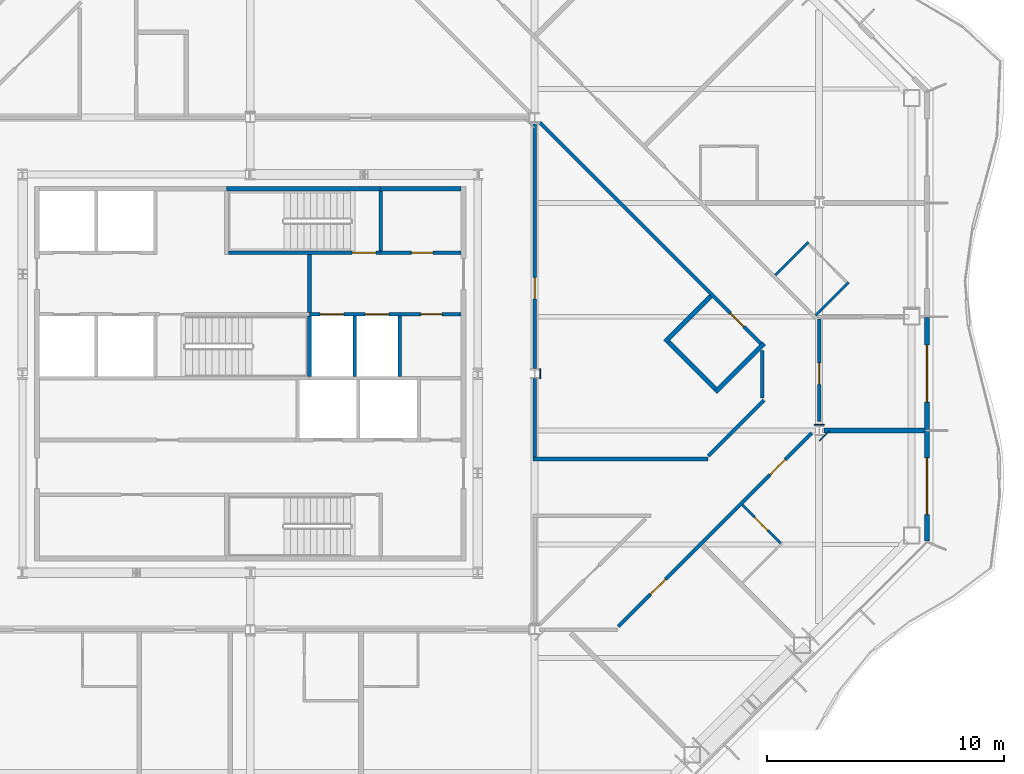
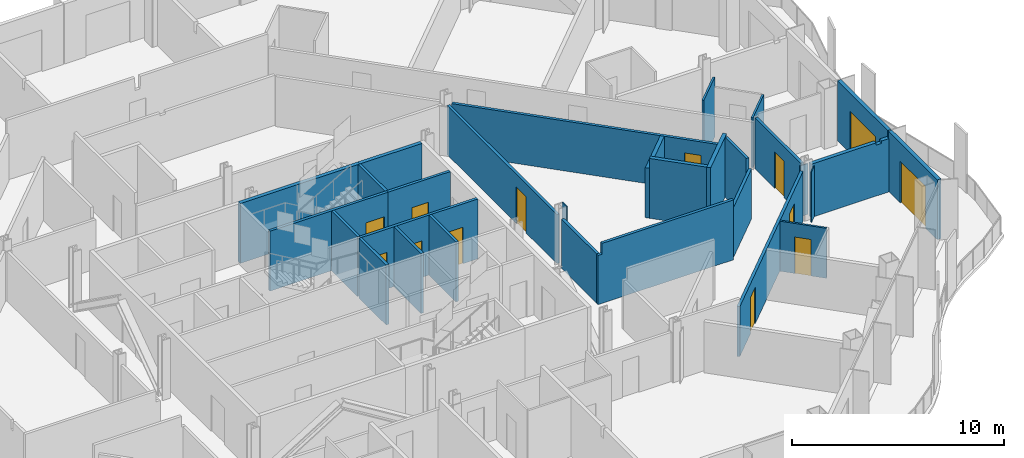
# One storey, part 10 of 21: 30 walls, 13 doors, 13 openings.
"""IFC4 building model written with IfcOpenShell, lengths in metres."""

from ifc_helpers import new_model, si_unit, direction, frame, frame_2d, origin, place, context, subcontext, project, spatial, polyline, rectangle, outline, extrude, material, layer, layer_set, type_object, element, fill, save


model = new_model("IFC4")

# Units and contexts
model_context = context("Model", 3, precision=1e-05, world=origin(), true_north=direction((0.0, 1.0)))
body_context = subcontext(model_context, "Body", "Model", "MODEL_VIEW")
ifc_project = project(units=[si_unit("LENGTHUNIT", "METRE"), si_unit("AREAUNIT", "SQUARE_METRE"), si_unit("VOLUMEUNIT", "CUBIC_METRE"), si_unit("PLANEANGLEUNIT", "RADIAN"), si_unit("MASSUNIT", "GRAM", prefix="KILO")], contexts=[model_context])

# Site, building, storey
site_placement = place(None, origin())
site = spatial("IfcSite", under=ifc_project, at=site_placement, CompositionType="ELEMENT")
building_placement = place(site_placement, origin())
building = spatial("IfcBuilding", under=site, at=building_placement, Name="Cairn Pilgrim Tower", CompositionType="ELEMENT")
storey_placement = place(building_placement, frame((0.0, 0.0, 132.60009765625)))
storey = spatial("IfcBuildingStorey", under=building, at=storey_placement, Name="L32", CompositionType="ELEMENT", Elevation=132.60009765625)

# Wall, opening, door
ifc_material_1 = material(Name="Bronze anodised aluminium insulated sandwich panel with mineral wool fill", Category="aluminium")
ifc_layer_1 = layer(ifc_material_1, 0.199951171875)
ifc_layer_set_1 = layer_set([ifc_layer_1], Name="BRONZE INFILL FRAME WALL 200")
wall_type_1 = type_object("IfcWallType", Name="BRONZE INFILL FRAME WALL 200", PredefinedType="NOTDEFINED", material=ifc_layer_set_1)
wall_1_placement = place(storey_placement, frame((35.75, -4.656494140625, 0.0), z_axis=(0.0, 0.0, 1.0), x_axis=(0.0, 1.0, 0.0)))
wall_1 = element("IfcWall", 1, at=wall_1_placement, inside=storey, type_object=wall_type_1, Name="Bronze infill frame wall IW-E1", PredefinedType="NOTDEFINED", context=body_context, shape_type="SweptSolid", body=[
    extrude(rectangle(XDim=4.62646484375, YDim=0.199951171875, at=frame_2d((2.313232421875, 0.0))), origin(), (0.0, 0.0, 1.0), 3.449951171875),
])
opening_1_placement = place(wall_1_placement, frame((1.1083984375, 0.0, 0.0)))
opening_1 = element("IfcOpeningElement", 2, at=opening_1_placement, cuts=wall_1, Name="Opening 3204B", PredefinedType="OPENING", context=body_context, shape_type="SweptSolid", body=[
    extrude(rectangle(XDim=2.39990234375, YDim=2.39990234375, at=frame_2d((1.199951171875, 1.199951171875))), frame((0.0, 0.10986328125, 0.0), z_axis=(0.0, -1.0, 0.0), x_axis=(1.0, 0.0, 0.0)), (0.0, 0.0, 1.0), 0.219970703125),
])
ifc_material_2 = material(Name="Bronze anodised aluminium frame with tinted low-E glass", Category="aluminium")
door_type_1 = type_object("IfcDoorType", Name="BALCONY SLIDING DOOR 2400x2400", OperationType="DOUBLE_DOOR_SLIDING", PredefinedType="DOOR", material=ifc_material_2)
door_1_placement = place(opening_1_placement, origin())
door_1 = element("IfcDoor", 3, at=door_1_placement, inside=storey, type_object=door_type_1, Name="Balcony sliding door 3204B", OperationType="SINGLE_SWING_LEFT", OverallHeight=2.39990234375, OverallWidth=2.39990234375, PredefinedType="DOOR", context=body_context, shape_type="SweptSolid", body=[
    extrude(rectangle(XDim=2.39990234375, YDim=2.39990234375, at=frame_2d((1.199951171875, 1.199951171875))), frame((0.0, 0.02490234375, 0.0), z_axis=(0.0, -1.0, 0.0), x_axis=(1.0, 0.0, 0.0)), (0.0, 0.0, 1.0), 0.050048828125),
])
fill(opening_1, door_1)

wall_2_placement = place(storey_placement, frame((35.75, 0.030029296875, 0.0), z_axis=(0.0, 0.0, 1.0), x_axis=(0.0, 1.0, 0.0)))
wall_2 = element("IfcWall", 4, at=wall_2_placement, inside=storey, type_object=wall_type_1, Name="Bronze infill frame wall IW-E2", PredefinedType="NOTDEFINED", context=body_context, shape_type="SweptSolid", body=[
    extrude(rectangle(XDim=4.739990234375, YDim=0.199951171875, at=frame_2d((2.3701171875, 0.0))), origin(), (0.0, 0.0, 1.0), 3.449951171875),
])
opening_2_placement = place(wall_2_placement, frame((1.169921875, 0.0, 0.0)))
opening_2 = element("IfcOpeningElement", 5, at=opening_2_placement, cuts=wall_2, Name="Opening 3205B", PredefinedType="OPENING", context=body_context, shape_type="SweptSolid", body=[
    extrude(rectangle(XDim=2.39990234375, YDim=2.39990234375, at=frame_2d((1.199951171875, 1.199951171875))), frame((0.0, 0.10986328125, 0.0), z_axis=(0.0, -1.0, 0.0), x_axis=(1.0, 0.0, 0.0)), (0.0, 0.0, 1.0), 0.219970703125),
])
door_2_placement = place(opening_2_placement, origin())
door_2 = element("IfcDoor", 6, at=door_2_placement, inside=storey, type_object=door_type_1, Name="Balcony sliding door 3205B", OperationType="SINGLE_SWING_LEFT", OverallHeight=2.39990234375, OverallWidth=2.39990234375, PredefinedType="DOOR", context=body_context, shape_type="SweptSolid", body=[
    extrude(rectangle(XDim=2.39990234375, YDim=2.39990234375, at=frame_2d((1.199951171875, 1.199951171875))), frame((0.0, 0.02490234375, 0.0), z_axis=(0.0, -1.0, 0.0), x_axis=(1.0, 0.0, 0.0)), (0.0, 0.0, 1.0), 0.050048828125),
])
fill(opening_2, door_2)

# Wall
ifc_material_3 = material(Name="Concrete C32/40", Category="concrete")
ifc_layer_2 = layer(ifc_material_3, 0.199951171875)
ifc_layer_set_2 = layer_set([ifc_layer_2], Name="CORE OUTER WALL 200 EI 120")
wall_type_2 = type_object("IfcWallType", Name="CORE OUTER WALL 200 EI 120", PredefinedType="SOLIDWALL", material=ifc_layer_set_2)
wall_3_placement = place(storey_placement, frame((12.699951171875, 10.199951171875, 0.0), z_axis=(0.0, 0.0, 1.0), x_axis=(1.0, 0.0, 0.0)))
element("IfcWall", 7, at=wall_3_placement, inside=storey, type_object=wall_type_2, Name="CW:L32:H12-3", PredefinedType="SOLIDWALL", context=body_context, shape_type="SweptSolid", body=[
    extrude(rectangle(XDim=3.400146484375, YDim=0.199951171875, at=frame_2d((1.7001953125, 0.0))), origin(), (0.0, 0.0, 1.0), 3.449951171875),
])

# Wall, openings, doors
ifc_layer_3 = layer(ifc_material_3, 0.14990234375)
ifc_layer_set_3 = layer_set([ifc_layer_3], Name="CORE SHAFT WALL 150 EI 120")
wall_type_3 = type_object("IfcWallType", Name="CORE SHAFT WALL 150 EI 120", PredefinedType="SOLIDWALL", material=ifc_layer_set_3)
wall_4_placement = place(storey_placement, frame((9.699951171875, 4.89990234375, 0.0), z_axis=(0.0, 0.0, 1.0), x_axis=(1.0, 0.0, 0.0)))
wall_4 = element("IfcWall", 8, at=wall_4_placement, inside=storey, type_object=wall_type_3, Name="CW:L32:H09-3", PredefinedType="SOLIDWALL", context=body_context, shape_type="SweptSolid", body=[
    extrude(rectangle(XDim=6.400146484375, YDim=0.14990234375, at=frame_2d((3.2001953125, 0.0))), origin(), (0.0, 0.0, 1.0), 3.449951171875),
])
opening_3_placement = place(wall_4_placement, frame((0.449951171875, 0.0, 0.0)))
opening_3 = element("IfcOpeningElement", 9, at=opening_3_placement, cuts=wall_4, Name="Opening LD-FF1", PredefinedType="OPENING", context=body_context, shape_type="SweptSolid", body=[
    extrude(rectangle(XDim=1.0, YDim=2.10009765625, at=frame_2d((0.5, 1.050048828125))), frame((0.0, 0.0849609375, 0.0), z_axis=(0.0, -1.0, 0.0), x_axis=(1.0, 0.0, 0.0)), (0.0, 0.0, 1.0), 0.169921875),
])
opening_4_placement = place(wall_4_placement, frame((2.35009765625, 0.0, 0.0)))
opening_4 = element("IfcOpeningElement", 10, at=opening_4_placement, cuts=wall_4, Name="Opening LD-FF2", PredefinedType="OPENING", context=body_context, shape_type="SweptSolid", body=[
    extrude(rectangle(XDim=1.0, YDim=2.10009765625, at=frame_2d((0.5, 1.050048828125))), frame((0.0, 0.0849609375, 0.0), z_axis=(0.0, -1.0, 0.0), x_axis=(1.0, 0.0, 0.0)), (0.0, 0.0, 1.0), 0.169921875),
])
opening_5_placement = place(wall_4_placement, frame((4.699951171875, 0.0, 0.0)))
opening_5 = element("IfcOpeningElement", 11, at=opening_5_placement, cuts=wall_4, Name="Opening RD-R3E", PredefinedType="OPENING", context=body_context, shape_type="SweptSolid", body=[
    extrude(rectangle(XDim=0.89990234375, YDim=2.10009765625, at=frame_2d((0.449951171875, 1.050048828125))), frame((0.0, 0.0849609375, 0.0), z_axis=(0.0, -1.0, 0.0), x_axis=(1.0, 0.0, 0.0)), (0.0, 0.0, 1.0), 0.169921875),
])
ifc_material_4 = material(Name="Stainless steel", Category="steel")
door_type_2 = type_object("IfcDoorType", Name="LIFT LANDING DOOR FIRE 1000x2100", OperationType="DOUBLE_DOOR_SLIDING", PredefinedType="DOOR", material=ifc_material_4)
door_3_placement = place(opening_3_placement, origin())
door_3 = element("IfcDoor", 12, at=door_3_placement, inside=storey, type_object=door_type_2, Name="LANDING DOOR FF1", OperationType="DOUBLE_DOOR_SLIDING", OverallHeight=2.10009765625, OverallWidth=1.0, PredefinedType="DOOR", context=body_context, shape_type="SweptSolid", body=[
    extrude(rectangle(XDim=1.0, YDim=2.10009765625, at=frame_2d((0.5, 1.050048828125))), frame((0.0, 0.02490234375, 0.0), z_axis=(0.0, -1.0, 0.0), x_axis=(1.0, 0.0, 0.0)), (0.0, 0.0, 1.0), 0.050048828125),
])
fill(opening_3, door_3)
door_4_placement = place(opening_4_placement, origin())
door_4 = element("IfcDoor", 13, at=door_4_placement, inside=storey, type_object=door_type_2, Name="LANDING DOOR FF2", OperationType="DOUBLE_DOOR_SLIDING", OverallHeight=2.10009765625, OverallWidth=1.0, PredefinedType="DOOR", context=body_context, shape_type="SweptSolid", body=[
    extrude(rectangle(XDim=1.0, YDim=2.10009765625, at=frame_2d((0.5, 1.050048828125))), frame((0.0, 0.02490234375, 0.0), z_axis=(0.0, -1.0, 0.0), x_axis=(1.0, 0.0, 0.0)), (0.0, 0.0, 1.0), 0.050048828125),
])
fill(opening_4, door_4)
ifc_material_5 = material(Name="Painted steel", Category="steel")
door_type_3 = type_object("IfcDoorType", Name="SERVICE ROOM DOOR 900x2100", OperationType="SINGLE_SWING_LEFT", PredefinedType="DOOR", material=ifc_material_5)
door_5_placement = place(opening_5_placement, origin())
door_5 = element("IfcDoor", 14, at=door_5_placement, inside=storey, type_object=door_type_3, Name="RD-R3E", OperationType="SINGLE_SWING_LEFT", OverallHeight=2.10009765625, OverallWidth=0.89990234375, PredefinedType="DOOR", context=body_context, shape_type="SweptSolid", body=[
    extrude(rectangle(XDim=0.89990234375, YDim=2.10009765625, at=frame_2d((0.449951171875, 1.050048828125))), frame((0.0, 0.02490234375, 0.0), z_axis=(0.0, -1.0, 0.0), x_axis=(1.0, 0.0, 0.0)), (0.0, 0.0, 1.0), 0.050048828125),
])
fill(opening_5, door_5)

# Wall, opening, door
wall_5_placement = place(storey_placement, frame((12.699951171875, 7.5, 0.0), z_axis=(0.0, 0.0, 1.0), x_axis=(1.0, 0.0, 0.0)))
wall_5 = element("IfcWall", 15, at=wall_5_placement, inside=storey, type_object=wall_type_3, Name="CW:L32:H11-2", PredefinedType="SOLIDWALL", context=body_context, shape_type="SweptSolid", body=[
    extrude(rectangle(XDim=3.400146484375, YDim=0.14990234375, at=frame_2d((1.7001953125, 0.0))), origin(), (0.0, 0.0, 1.0), 3.449951171875),
])
opening_6_placement = place(wall_5_placement, frame((1.300048828125, 0.0, 0.0)))
opening_6 = element("IfcOpeningElement", 16, at=opening_6_placement, cuts=wall_5, Name="Opening RD-R4E", PredefinedType="OPENING", context=body_context, shape_type="SweptSolid", body=[
    extrude(rectangle(XDim=0.89990234375, YDim=2.10009765625, at=frame_2d((0.449951171875, 1.050048828125))), frame((0.0, 0.0849609375, 0.0), z_axis=(0.0, -1.0, 0.0), x_axis=(1.0, 0.0, 0.0)), (0.0, 0.0, 1.0), 0.169921875),
])
door_6_placement = place(opening_6_placement, origin())
door_6 = element("IfcDoor", 17, at=door_6_placement, inside=storey, type_object=door_type_3, Name="RD-R4E", OperationType="SINGLE_SWING_RIGHT", OverallHeight=2.10009765625, OverallWidth=0.89990234375, PredefinedType="DOOR", context=body_context, shape_type="SweptSolid", body=[
    extrude(rectangle(XDim=0.89990234375, YDim=2.10009765625, at=frame_2d((0.449951171875, 1.050048828125))), frame((0.0, 0.02490234375, 0.0), z_axis=(0.0, -1.0, 0.0), x_axis=(1.0, 0.0, 0.0)), (0.0, 0.0, 1.0), 0.050048828125),
])
fill(opening_6, door_6)

# Walls
wall_6_placement = place(storey_placement, frame((9.699951171875, 4.97509765625, 0.0), z_axis=(0.0, 0.0, 1.0), x_axis=(0.0, 1.0, 0.0)))
element("IfcWall", 18, at=wall_6_placement, inside=storey, type_object=wall_type_3, Name="CW:L32:V22", PredefinedType="SOLIDWALL", context=body_context, shape_type="SweptSolid", body=[
    extrude(rectangle(XDim=2.449951171875, YDim=0.14990234375, at=frame_2d((1.22509765625, 0.0))), origin(), (0.0, 0.0, 1.0), 3.449951171875),
])
for number, where, z_axis, x_axis, name in (
    (19, (11.60009765625, 2.27490234375, 0.0), (0.0, 0.0, 1.0), (0.0, 1.0, 0.0), "CW:L32:V23"),
    (20, (13.5, 2.27490234375, 0.0), (0.0, 0.0, 1.0), (0.0, 1.0, 0.0), "CW:L32:V27"),
):
    element("IfcWall", number, at=place(storey_placement, frame(where, z_axis=z_axis, x_axis=x_axis)), inside=storey, type_object=wall_type_3, Name=name, PredefinedType="SOLIDWALL", context=body_context, shape_type="SweptSolid", body=[
        extrude(rectangle(XDim=2.550048828125, YDim=0.14990234375, at=frame_2d((1.27490234375, 0.0))), origin(), (0.0, 0.0, 1.0), 3.449951171875),
    ])

# Wall, opening, door
ifc_material_6 = material(Name="Gypsum partition")
ifc_layer_4 = layer(ifc_material_6, 0.10009765625)
ifc_layer_set_4 = layer_set([ifc_layer_4], Name="PARTITION 100 DRYWALL")
wall_type_4 = type_object("IfcWallType", Name="PARTITION 100 DRYWALL", PredefinedType="PARTITIONING", material=ifc_layer_set_4)
wall_7_placement = place(storey_placement, frame((29.567626953125, -4.74951171875, 0.0), z_axis=(0.0, 0.0, 1.0), x_axis=(-0.707160441348, 0.707053116953, 0.0)))
wall_7 = element("IfcWall", 21, at=wall_7_placement, inside=storey, type_object=wall_type_4, Name="PARTITION W028", PredefinedType="PARTITIONING", context=body_context, shape_type="SweptSolid", body=[
    extrude(rectangle(XDim=2.27490234375, YDim=0.10009765625, at=frame_2d((1.137451171875, 0.0))), origin(), (0.0, 0.0, 1.0), 2.8798828125),
])
opening_7_placement = place(wall_7_placement, frame((0.75, 0.0, 0.0)))
opening_7 = element("IfcOpeningElement", 22, at=opening_7_placement, cuts=wall_7, Name="Opening 3204A", PredefinedType="OPENING", context=body_context, shape_type="SweptSolid", body=[
    extrude(rectangle(XDim=0.800048828125, YDim=2.10009765625, at=frame_2d((0.39990234375, 1.050048828125))), frame((0.0, 0.06005859375, 0.0), z_axis=(0.0, -1.0, 0.0), x_axis=(1.0, 0.0, 0.0)), (0.0, 0.0, 1.0), 0.1201171875),
])
ifc_material_7 = material(Name="Timber door leaf", Category="wood")
door_type_4 = type_object("IfcDoorType", Name="WC DOOR 800x2100", OperationType="NOTDEFINED", PredefinedType="DOOR", material=ifc_material_7)
door_7_placement = place(opening_7_placement, frame((0.800048828125, 0.0, 0.0), z_axis=(0.0, 0.0, 1.0), x_axis=(-1.0, 0.0, 0.0)))
door_7 = element("IfcDoor", 23, at=door_7_placement, inside=storey, type_object=door_type_4, Name="DOOR 3204A", OperationType="SINGLE_SWING_LEFT", OverallHeight=2.10009765625, OverallWidth=0.800048828125, PredefinedType="DOOR", context=body_context, shape_type="SweptSolid", body=[
    extrude(rectangle(XDim=0.800048828125, YDim=2.10009765625, at=frame_2d((0.39990234375, 1.050048828125))), frame((0.0, 0.02490234375, 0.0), z_axis=(0.0, -1.0, 0.0), x_axis=(1.0, 0.0, 0.0)), (0.0, 0.0, 1.0), 0.050048828125),
])
fill(opening_7, door_7)

# Walls
wall_8_placement = place(storey_placement, frame((31.047119140625, 4.85302734375, 0.0), z_axis=(0.0, 0.0, 1.0), x_axis=(0.707044963048, 0.707168593921, 0.0)))
element("IfcWall", 24, at=wall_8_placement, inside=storey, type_object=wall_type_4, Name="PARTITION W056", PredefinedType="PARTITIONING", context=body_context, shape_type="SweptSolid", body=[
    extrude(rectangle(XDim=1.974853515625, YDim=0.10009765625, at=frame_2d((0.9873046875, 0.0))), origin(), (0.0, 0.0, 1.0), 2.8798828125),
])
wall_9_placement = place(storey_placement, frame((29.35009765625, 6.550048828125, 0.0), z_axis=(0.0, 0.0, 1.0), x_axis=(0.707106781187, 0.707106781187, 0.0)))
element("IfcWall", 25, at=wall_9_placement, inside=storey, type_object=wall_type_4, Name="PARTITION W059", PredefinedType="PARTITIONING", context=body_context, shape_type="SweptSolid", body=[
    extrude(rectangle(XDim=1.974609375, YDim=0.10009765625, at=frame_2d((0.9873046875, 0.0))), origin(), (0.0, 0.0, 1.0), 3.449951171875),
])

# Wall, openings, doors
ifc_layer_5 = layer(ifc_material_6, 0.14990234375)
ifc_layer_set_5 = layer_set([ifc_layer_5], Name="PARTITION 150 DRYWALL EI 60")
wall_type_5 = type_object("IfcWallType", Name="PARTITION 150 DRYWALL EI 60", PredefinedType="PARTITIONING", material=ifc_layer_set_5)
wall_10_placement = place(storey_placement, frame((22.721923828125, -8.27197265625, 0.0), z_axis=(0.0, 0.0, 1.0), x_axis=(0.707106781187, 0.707106781187, 0.0)))
wall_10 = element("IfcWall", 26, at=wall_10_placement, inside=storey, type_object=wall_type_5, Name="PARTITION W022", PredefinedType="PARTITIONING", context=body_context, shape_type="SweptSolid", body=[
    extrude(rectangle(XDim=11.549072265625, YDim=0.14990234375, at=frame_2d((5.7744140625, 0.0))), origin(), (0.0, 0.0, 1.0), 2.8798828125),
])
opening_8_placement = place(wall_10_placement, frame((1.92529296875, 0.0, 0.0)))
opening_8 = element("IfcOpeningElement", 27, at=opening_8_placement, cuts=wall_10, Name="Opening 3203", PredefinedType="OPENING", context=body_context, shape_type="SweptSolid", body=[
    extrude(rectangle(XDim=0.89990234375, YDim=2.10009765625, at=frame_2d((0.449951171875, 1.050048828125))), frame((0.0, 0.0849609375, 0.0), z_axis=(0.0, -1.0, 0.0), x_axis=(1.0, 0.0, 0.0)), (0.0, 0.0, 1.0), 0.169921875),
])
opening_9_placement = place(wall_10_placement, frame((9.0654296875, 0.0, 0.0)))
opening_9 = element("IfcOpeningElement", 28, at=opening_9_placement, cuts=wall_10, Name="Opening 3204", PredefinedType="OPENING", context=body_context, shape_type="SweptSolid", body=[
    extrude(rectangle(XDim=0.89990234375, YDim=2.10009765625, at=frame_2d((0.449951171875, 1.050048828125))), frame((0.0, 0.0849609375, 0.0), z_axis=(0.0, -1.0, 0.0), x_axis=(1.0, 0.0, 0.0)), (0.0, 0.0, 1.0), 0.169921875),
])
door_type_5 = type_object("IfcDoorType", Name="ROOM DOOR 900x2100 FD30S", OperationType="NOTDEFINED", PredefinedType="DOOR", material=ifc_material_7)
door_8_placement = place(opening_9_placement, frame((0.89990234375, 0.0, 0.0), z_axis=(0.0, 0.0, 1.0), x_axis=(-1.0, 0.0, 0.0)))
door_8 = element("IfcDoor", 29, at=door_8_placement, inside=storey, type_object=door_type_5, Name="DOOR 3204", OperationType="SINGLE_SWING_LEFT", OverallHeight=2.10009765625, OverallWidth=0.89990234375, PredefinedType="DOOR", context=body_context, shape_type="SweptSolid", body=[
    extrude(rectangle(XDim=0.89990234375, YDim=2.10009765625, at=frame_2d((0.449951171875, 1.050048828125))), frame((0.0, 0.02490234375, 0.0), z_axis=(0.0, -1.0, 0.0), x_axis=(1.0, 0.0, 0.0)), (0.0, 0.0, 1.0), 0.050048828125),
])
fill(opening_9, door_8)
door_type_6 = type_object("IfcDoorType", Name="SERVICE DOOR 900x2100 FD30S", OperationType="NOTDEFINED", PredefinedType="DOOR", material=ifc_material_7)
door_9_placement = place(opening_8_placement, frame((0.89990234375, 0.0, 0.0), z_axis=(0.0, 0.0, 1.0), x_axis=(-1.0, 0.0, 0.0)))
door_9 = element("IfcDoor", 30, at=door_9_placement, inside=storey, type_object=door_type_6, Name="DOOR 3203", OperationType="SINGLE_SWING_LEFT", OverallHeight=2.10009765625, OverallWidth=0.89990234375, PredefinedType="DOOR", context=body_context, shape_type="SweptSolid", body=[
    extrude(rectangle(XDim=0.89990234375, YDim=2.10009765625, at=frame_2d((0.449951171875, 1.050048828125))), frame((0.0, 0.02490234375, 0.0), z_axis=(0.0, -1.0, 0.0), x_axis=(1.0, 0.0, 0.0)), (0.0, 0.0, 1.0), 0.050048828125),
])
fill(opening_8, door_9)

# Walls
wall_11_placement = place(storey_placement, frame((19.125, -1.199951171875, 0.0), z_axis=(0.0, 0.0, 1.0), x_axis=(1.0, 0.0, 0.0)))
element("IfcWall", 31, at=wall_11_placement, inside=storey, type_object=wall_type_5, Name="PARTITION W033", PredefinedType="PARTITIONING", context=body_context, shape_type="SweptSolid", body=[
    extrude(outline(polyline([(0.0, 0.0), (7.381103515625, 0.0), (7.381103515625, 3.449951171875), (0.22509765625, 3.449951171875), (0.222900390625, 2.829833984375), (0.0, 2.829833984375), (0.0, 0.0)])), frame((0.0, 0.074951171875, 0.0), z_axis=(0.0, -1.0, 0.0), x_axis=(1.0, 0.0, 0.0)), (0.0, 0.0, 1.0), 0.14990234375),
])
wall_12_placement = place(storey_placement, frame((19.199951171875, -1.125, 0.0), z_axis=(0.0, 0.0, 1.0), x_axis=(0.0, 1.0, 0.0)))
element("IfcWall", 32, at=wall_12_placement, inside=storey, type_object=wall_type_5, Name="PARTITION W036", PredefinedType="PARTITIONING", context=body_context, shape_type="SweptSolid", body=[
    extrude(rectangle(XDim=3.3125, YDim=0.14990234375, at=frame_2d((1.65625, 0.0))), origin(), (0.0, 0.0, 1.0), 2.829833984375),
])
wall_13_placement = place(storey_placement, frame((26.528076171875, -1.072021484375, 0.0), z_axis=(0.0, 0.0, 1.0), x_axis=(0.707106781187, 0.707106781187, 0.0)))
element("IfcWall", 33, at=wall_13_placement, inside=storey, type_object=wall_type_5, Name="PARTITION W037", PredefinedType="PARTITIONING", context=body_context, shape_type="SweptSolid", body=[
    extrude(rectangle(XDim=3.319091796875, YDim=0.14990234375, at=frame_2d((1.65966796875, 0.0))), origin(), (0.0, 0.0, 1.0), 2.8798828125),
])

# Wall, opening, door
wall_14_placement = place(storey_placement, frame((31.199951171875, 0.38720703125, 0.0), z_axis=(0.0, 0.0, 1.0), x_axis=(0.0, 1.0, 0.0)))
wall_14 = element("IfcWall", 34, at=wall_14_placement, inside=storey, type_object=wall_type_5, Name="PARTITION W040", PredefinedType="PARTITIONING", context=body_context, shape_type="SweptSolid", body=[
    extrude(rectangle(XDim=4.31298828125, YDim=0.14990234375, at=frame_2d((2.156494140625, 0.0))), origin(), (0.0, 0.0, 1.0), 2.929931640625),
])
opening_10_placement = place(wall_14_placement, frame((1.56298828125, 0.0, 0.0)))
opening_10 = element("IfcOpeningElement", 35, at=opening_10_placement, cuts=wall_14, Name="Opening 3205", PredefinedType="OPENING", context=body_context, shape_type="SweptSolid", body=[
    extrude(rectangle(XDim=0.89990234375, YDim=2.10009765625, at=frame_2d((0.449951171875, 1.050048828125))), frame((0.0, 0.0849609375, 0.0), z_axis=(0.0, -1.0, 0.0), x_axis=(1.0, 0.0, 0.0)), (0.0, 0.0, 1.0), 0.169921875),
])
door_10_placement = place(opening_10_placement, frame((0.89990234375, 0.0, 0.0), z_axis=(0.0, 0.0, 1.0), x_axis=(-1.0, 0.0, 0.0)))
door_10 = element("IfcDoor", 36, at=door_10_placement, inside=storey, type_object=door_type_5, Name="DOOR 3205", OperationType="SINGLE_SWING_LEFT", OverallHeight=2.10009765625, OverallWidth=0.89990234375, PredefinedType="DOOR", context=body_context, shape_type="SweptSolid", body=[
    extrude(rectangle(XDim=0.89990234375, YDim=2.10009765625, at=frame_2d((0.449951171875, 1.050048828125))), frame((0.0, 0.02490234375, 0.0), z_axis=(0.0, -1.0, 0.0), x_axis=(1.0, 0.0, 0.0)), (0.0, 0.0, 1.0), 0.050048828125),
])
fill(opening_10, door_10)

# Wall
wall_15_placement = place(storey_placement, frame((28.800048828125, 1.381103515625, 0.0), z_axis=(0.0, 0.0, 1.0), x_axis=(0.0, 1.0, 0.0)))
element("IfcWall", 37, at=wall_15_placement, inside=storey, type_object=wall_type_5, Name="PARTITION W041", PredefinedType="PARTITIONING", context=body_context, shape_type="SweptSolid", body=[
    extrude(rectangle(XDim=2.00244140625, YDim=0.14990234375, at=frame_2d((1.001220703125, 0.0))), origin(), (0.0, 0.0, 1.0), 3.449951171875),
])

# Wall, opening, door
wall_16_placement = place(storey_placement, frame((19.199951171875, 2.612548828125, 0.0), z_axis=(0.0, 0.0, 1.0), x_axis=(0.0, 1.0, 0.0)))
wall_16 = element("IfcWall", 38, at=wall_16_placement, inside=storey, type_object=wall_type_5, Name="PARTITION W047", PredefinedType="PARTITIONING", context=body_context, shape_type="SweptSolid", body=[
    extrude(rectangle(XDim=10.375, YDim=0.14990234375, at=frame_2d((5.1875, 0.0))), origin(), (0.0, 0.0, 1.0), 2.829833984375),
])
opening_11_placement = place(wall_16_placement, frame((2.9375, 0.0, 0.0)))
opening_11 = element("IfcOpeningElement", 39, at=opening_11_placement, cuts=wall_16, Name="Opening 3221", PredefinedType="OPENING", context=body_context, shape_type="SweptSolid", body=[
    extrude(rectangle(XDim=0.89990234375, YDim=2.10009765625, at=frame_2d((0.449951171875, 1.050048828125))), frame((0.0, 0.0849609375, 0.0), z_axis=(0.0, -1.0, 0.0), x_axis=(1.0, 0.0, 0.0)), (0.0, 0.0, 1.0), 0.169921875),
])
door_11_placement = place(opening_11_placement, frame((0.89990234375, 0.0, 0.0), z_axis=(0.0, 0.0, 1.0), x_axis=(-1.0, 0.0, 0.0)))
door_11 = element("IfcDoor", 40, at=door_11_placement, inside=storey, type_object=door_type_6, Name="DOOR 3221", OperationType="SINGLE_SWING_LEFT", OverallHeight=2.10009765625, OverallWidth=0.89990234375, PredefinedType="DOOR", context=body_context, shape_type="SweptSolid", body=[
    extrude(rectangle(XDim=0.89990234375, YDim=2.10009765625, at=frame_2d((0.449951171875, 1.050048828125))), frame((0.0, 0.02490234375, 0.0), z_axis=(0.0, -1.0, 0.0), x_axis=(1.0, 0.0, 0.0)), (0.0, 0.0, 1.0), 0.050048828125),
])
fill(opening_11, door_11)

wall_17_placement = place(storey_placement, frame((28.729248046875, 3.670654296875, 0.0), z_axis=(0.0, 0.0, 1.0), x_axis=(-0.707106781187, 0.707106781187, 0.0)))
wall_17 = element("IfcWall", 41, at=wall_17_placement, inside=storey, type_object=wall_type_5, Name="PARTITION W049", PredefinedType="PARTITIONING", context=body_context, shape_type="SweptSolid", body=[
    extrude(rectangle(XDim=13.181640625, YDim=0.14990234375, at=frame_2d((6.5908203125, 0.0))), origin(), (0.0, 0.0, 1.0), 2.8798828125),
])
opening_12_placement = place(wall_17_placement, frame((1.0, 0.0, 0.0)))
opening_12 = element("IfcOpeningElement", 42, at=opening_12_placement, cuts=wall_17, Name="Opening 3218", PredefinedType="OPENING", context=body_context, shape_type="SweptSolid", body=[
    extrude(rectangle(XDim=0.800048828125, YDim=2.10009765625, at=frame_2d((0.39990234375, 1.050048828125))), frame((0.0, 0.0849609375, 0.0), z_axis=(0.0, -1.0, 0.0), x_axis=(1.0, 0.0, 0.0)), (0.0, 0.0, 1.0), 0.169921875),
])
door_type_7 = type_object("IfcDoorType", Name="WC DOOR 800x2100 FD30S", OperationType="NOTDEFINED", PredefinedType="DOOR", material=ifc_material_7)
door_12_placement = place(opening_12_placement, origin())
door_12 = element("IfcDoor", 43, at=door_12_placement, inside=storey, type_object=door_type_7, Name="DOOR 3218", OperationType="SINGLE_SWING_RIGHT", OverallHeight=2.10009765625, OverallWidth=0.800048828125, PredefinedType="DOOR", context=body_context, shape_type="SweptSolid", body=[
    extrude(rectangle(XDim=0.800048828125, YDim=2.10009765625, at=frame_2d((0.39990234375, 1.050048828125))), frame((0.0, 0.02490234375, 0.0), z_axis=(0.0, -1.0, 0.0), x_axis=(1.0, 0.0, 0.0)), (0.0, 0.0, 1.0), 0.050048828125),
])
fill(opening_12, door_12)

# Walls
ifc_layer_6 = layer(ifc_material_6, 0.050048828125)
ifc_layer_set_6 = layer_set([ifc_layer_6], Name="PARTITION 50 DRYWALL EI 60")
wall_type_6 = type_object("IfcWallType", Name="PARTITION 50 DRYWALL EI 60", PredefinedType="PARTITIONING", material=ifc_layer_set_6)
wall_18_placement = place(storey_placement, frame((31.2177734375, -0.434814453125, 0.0), z_axis=(0.0, 0.0, 1.0), x_axis=(0.706899813022, 0.70731368879, 0.0)))
element("IfcWall", 44, at=wall_18_placement, inside=storey, type_object=wall_type_6, Name="COLUMN CASING WC17", PredefinedType="PARTITIONING", context=body_context, shape_type="SweptSolid", body=[
    extrude(rectangle(XDim=0.58984375, YDim=0.050048828125, at=frame_2d((0.294921875, 0.0))), origin(), (0.0, 0.0, 1.0), 2.929931640625),
])
wall_19_placement = place(storey_placement, frame((19.429443359375, 2.1875, 0.0), z_axis=(0.0, 0.0, 1.0), x_axis=(0.0, 1.0, 0.0)))
element("IfcWall", 45, at=wall_19_placement, inside=storey, type_object=wall_type_6, Name="COLUMN CASING WC21", PredefinedType="PARTITIONING", context=body_context, shape_type="SweptSolid", body=[
    extrude(rectangle(XDim=0.425048828125, YDim=0.050048828125, at=frame_2d((0.21240234375, 0.0))), origin(), (0.0, 0.0, 1.0), 3.449951171875),
])
wall_20_placement = place(storey_placement, frame((30.99560546875, 0.237548828125, 0.0), z_axis=(0.0, 0.0, 1.0), x_axis=(1.0, 0.0, 0.0)))
element("IfcWall", 46, at=wall_20_placement, inside=storey, type_object=wall_type_6, Name="COLUMN CASING WC23", PredefinedType="PARTITIONING", context=body_context, shape_type="SweptSolid", body=[
    extrude(rectangle(XDim=0.408935546875, YDim=0.050048828125, at=frame_2d((0.20458984375, 0.0))), origin(), (0.0, 0.0, 1.0), 2.929931640625),
])
ifc_layer_7 = layer(ifc_material_6, 0.199951171875)
ifc_layer_set_7 = layer_set([ifc_layer_7], Name="SHAFT WALL 200 GYPSUM EI 60")
wall_type_7 = type_object("IfcWallType", Name="SHAFT WALL 200 GYPSUM EI 60", PredefinedType="PARTITIONING", material=ifc_layer_set_7)
wall_21_placement = place(storey_placement, frame((31.404541015625, 0.0, 0.0), z_axis=(0.0, 0.0, 1.0), x_axis=(1.0, 0.0, 0.0)))
element("IfcWall", 47, at=wall_21_placement, inside=storey, type_object=wall_type_7, Name="PARTITION W038", PredefinedType="PARTITIONING", context=body_context, shape_type="SweptSolid", body=[
    extrude(outline(polyline([(0.0, 0.0), (4.245361328125, 0.0), (4.24560546875, 3.06982421875), (3.845458984375, 3.06982421875), (3.843505859375, 2.929931640625), (3.54541015625, 2.929931640625), (3.54345703125, 3.06982421875), (0.0, 3.06982421875), (0.0, 0.0)])), frame((0.0, 0.10009765625, 0.0), z_axis=(0.0, -1.0, 0.0), x_axis=(1.0, 0.0, 0.0)), (0.0, 0.0, 1.0), 0.199951171875),
])
wall_22_placement = place(storey_placement, frame((26.8203125, 1.620361328125, 0.0), z_axis=(0.0, 0.0, 1.0), x_axis=(0.707106781187, 0.707106781187, 0.0)))
element("IfcWall", 48, at=wall_22_placement, inside=storey, type_object=wall_type_7, Name="PARTITION W042", PredefinedType="PARTITIONING", context=body_context, shape_type="SweptSolid", body=[
    extrude(rectangle(XDim=2.916015625, YDim=0.199951171875, at=frame_2d((1.4580078125, 0.0))), origin(), (0.0, 0.0, 1.0), 3.449951171875),
])
wall_23_placement = place(storey_placement, frame((26.8203125, 1.76171875, 0.0), z_axis=(0.0, 0.0, 1.0), x_axis=(-0.707106781187, 0.707106781187, 0.0)))
element("IfcWall", 49, at=wall_23_placement, inside=storey, type_object=wall_type_7, Name="PARTITION W043", PredefinedType="PARTITIONING", context=body_context, shape_type="SweptSolid", body=[
    extrude(rectangle(XDim=2.79931640625, YDim=0.199951171875, at=frame_2d((1.399658203125, 0.0))), origin(), (0.0, 0.0, 1.0), 3.449951171875),
])
wall_24_placement = place(storey_placement, frame((24.69921875, 3.7412109375, 0.0), z_axis=(0.0, 0.0, 1.0), x_axis=(0.707106781187, 0.707106781187, 0.0)))
element("IfcWall", 50, at=wall_24_placement, inside=storey, type_object=wall_type_7, Name="PARTITION W048", PredefinedType="PARTITIONING", context=body_context, shape_type="SweptSolid", body=[
    extrude(rectangle(XDim=2.724853515625, YDim=0.199951171875, at=frame_2d((1.3623046875, 0.0))), origin(), (0.0, 0.0, 1.0), 2.8798828125),
])

# Wall, opening, door
ifc_material_8 = material(Name="Concrete C35/45", Category="concrete")
ifc_layer_8 = layer(ifc_material_8, 0.14990234375)
ifc_layer_set_8 = layer_set([ifc_layer_8], Name="STAIR SHAFT WALL 150 EI 120")
wall_type_8 = type_object("IfcWallType", Name="STAIR SHAFT WALL 150 EI 120", PredefinedType="SOLIDWALL", material=ifc_layer_set_8)
wall_25_placement = place(storey_placement, frame((6.27490234375, 7.5, 0.0), z_axis=(0.0, 0.0, 1.0), x_axis=(1.0, 0.0, 0.0)))
wall_25 = element("IfcWall", 51, at=wall_25_placement, inside=storey, type_object=wall_type_8, Name="CW:L32:H11-1", PredefinedType="SOLIDWALL", context=body_context, shape_type="SweptSolid", body=[
    extrude(rectangle(XDim=6.425048828125, YDim=0.14990234375, at=frame_2d((3.21240234375, 0.0))), origin(), (0.0, 0.0, 1.0), 3.449951171875),
])
opening_13_placement = place(wall_25_placement, frame((5.22509765625, 0.0, 0.0)))
opening_13 = element("IfcOpeningElement", 52, at=opening_13_placement, cuts=wall_25, Name="Opening SD-C", PredefinedType="OPENING", context=body_context, shape_type="SweptSolid", body=[
    extrude(rectangle(XDim=1.0, YDim=2.10009765625, at=frame_2d((0.5, 1.050048828125))), frame((0.0, 0.0849609375, 0.0), z_axis=(0.0, -1.0, 0.0), x_axis=(1.0, 0.0, 0.0)), (0.0, 0.0, 1.0), 0.169921875),
])
door_type_8 = type_object("IfcDoorType", Name="STAIR DOOR FD60S 1000x2100", OperationType="SINGLE_SWING_LEFT", PredefinedType="DOOR", material=ifc_material_5)
door_13_placement = place(opening_13_placement, origin())
door_13 = element("IfcDoor", 53, at=door_13_placement, inside=storey, type_object=door_type_8, Name="SD-C", OperationType="SINGLE_SWING_LEFT", OverallHeight=2.10009765625, OverallWidth=1.0, PredefinedType="DOOR", context=body_context, shape_type="SweptSolid", body=[
    extrude(rectangle(XDim=1.0, YDim=2.10009765625, at=frame_2d((0.5, 1.050048828125))), frame((0.0, 0.02490234375, 0.0), z_axis=(0.0, -1.0, 0.0), x_axis=(1.0, 0.0, 0.0)), (0.0, 0.0, 1.0), 0.050048828125),
])
fill(opening_13, door_13)

# Walls
wall_26_placement = place(storey_placement, frame((9.699951171875, 2.27490234375, 0.0), z_axis=(0.0, 0.0, 1.0), x_axis=(0.0, 1.0, 0.0)))
element("IfcWall", 54, at=wall_26_placement, inside=storey, type_object=wall_type_8, Name="CW:L32:V21", PredefinedType="SOLIDWALL", context=body_context, shape_type="SweptSolid", body=[
    extrude(rectangle(XDim=2.550048828125, YDim=0.14990234375, at=frame_2d((1.27490234375, 0.0))), origin(), (0.0, 0.0, 1.0), 3.449951171875),
])
wall_27_placement = place(storey_placement, frame((12.699951171875, 7.574951171875, 0.0), z_axis=(0.0, 0.0, 1.0), x_axis=(0.0, 1.0, 0.0)))
element("IfcWall", 55, at=wall_27_placement, inside=storey, type_object=wall_type_8, Name="CW:L32:V26", PredefinedType="SOLIDWALL", context=body_context, shape_type="SweptSolid", body=[
    extrude(rectangle(XDim=2.525146484375, YDim=0.14990234375, at=frame_2d((1.2626953125, 0.0))), origin(), (0.0, 0.0, 1.0), 3.449951171875),
])
ifc_layer_9 = layer(ifc_material_8, 0.199951171875)
ifc_layer_set_9 = layer_set([ifc_layer_9], Name="STAIR SHAFT WALL 200 EI 120")
wall_type_9 = type_object("IfcWallType", Name="STAIR SHAFT WALL 200 EI 120", PredefinedType="SOLIDWALL", material=ifc_layer_set_9)
wall_28_placement = place(storey_placement, frame((6.199951171875, 10.199951171875, 0.0), z_axis=(0.0, 0.0, 1.0), x_axis=(1.0, 0.0, 0.0)))
element("IfcWall", 56, at=wall_28_placement, inside=storey, type_object=wall_type_9, Name="CW:L32:H12-2", PredefinedType="SOLIDWALL", context=body_context, shape_type="SweptSolid", body=[
    extrude(rectangle(XDim=6.5, YDim=0.199951171875, at=frame_2d((3.25, 0.0))), origin(), (0.0, 0.0, 1.0), 3.449951171875),
])

save(model, "model.ifc")
